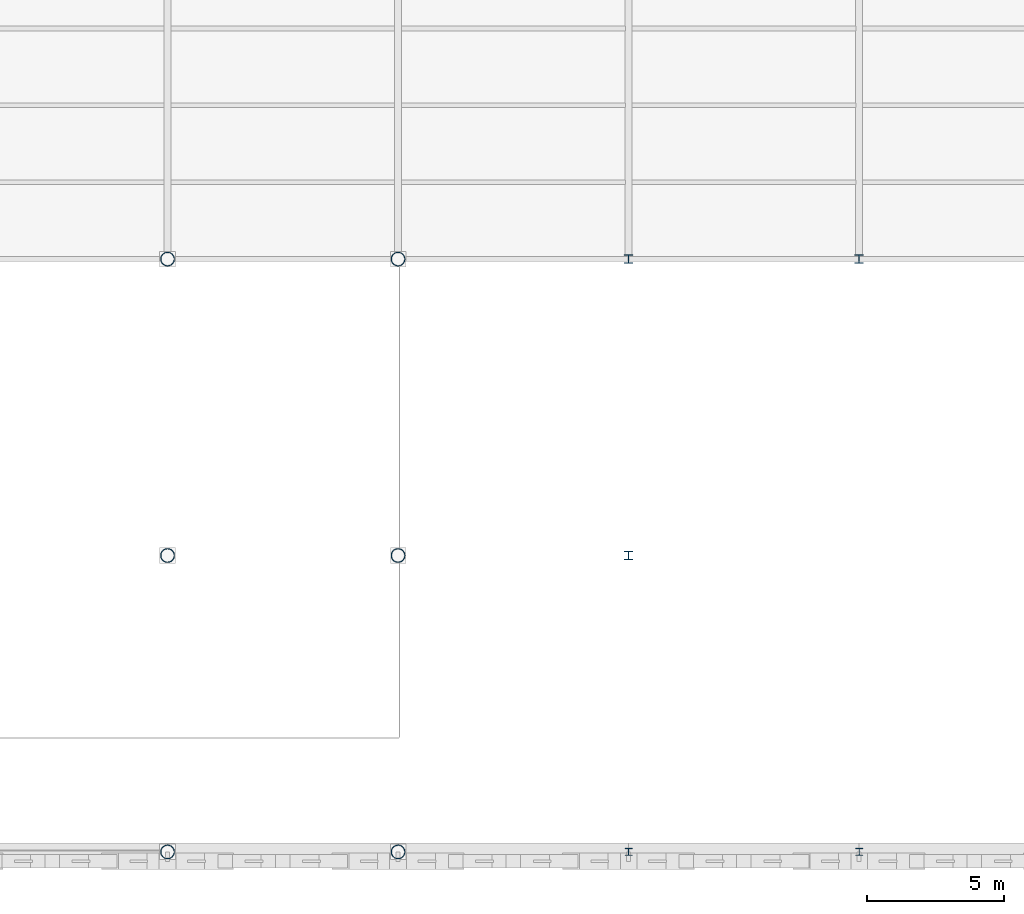
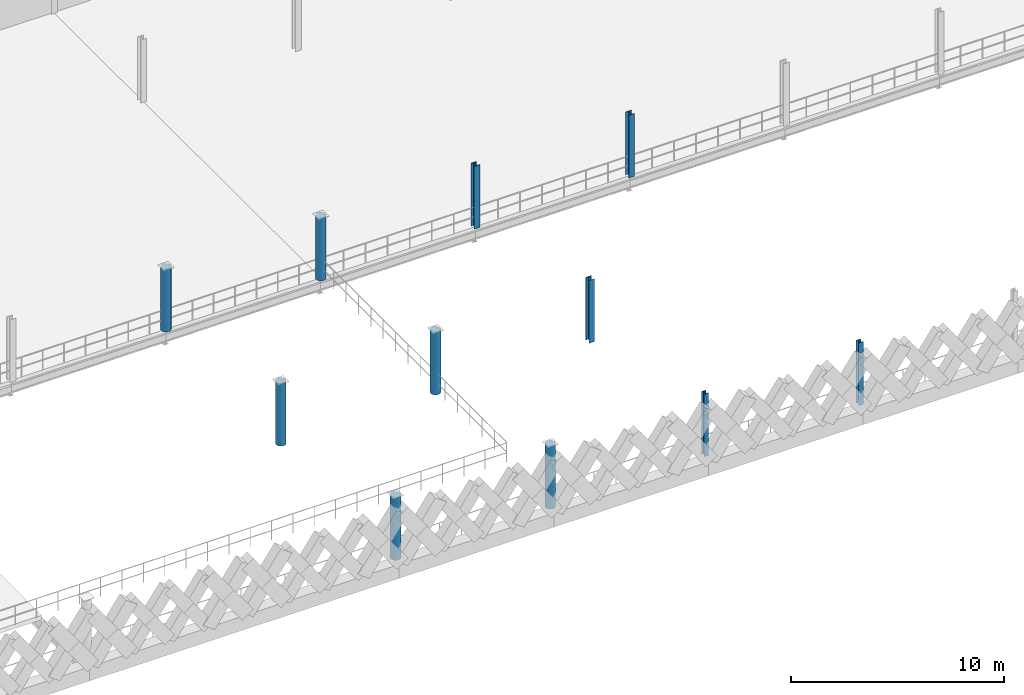
# One storey, part 2 of 47: 11 columns.
"""IFC4 building model written with IfcOpenShell, lengths in metres."""

from ifc_helpers import new_model, si_unit, direction, frame, origin, origin_2d, place, context, subcontext, project, spatial, hollow_circle, i_section, extrude, material, material_profile, profile_set, type_object, element, save


model = new_model("IFC4")

# Units and contexts
model_context = context("Model", 3, precision=1e-05, world=origin(), true_north=direction((0.0, 1.0)))
body_context = subcontext(model_context, "Body", "Model", "MODEL_VIEW")
ifc_project = project(units=[si_unit("LENGTHUNIT", "METRE"), si_unit("AREAUNIT", "SQUARE_METRE"), si_unit("VOLUMEUNIT", "CUBIC_METRE"), si_unit("PLANEANGLEUNIT", "RADIAN"), si_unit("MASSUNIT", "GRAM", prefix="KILO"), si_unit("THERMODYNAMICTEMPERATUREUNIT", "KELVIN"), si_unit("POWERUNIT", "WATT")], contexts=[model_context])

# Site, building, storey
site_placement = place(None, origin())
site = spatial("IfcSite", under=ifc_project, at=site_placement, CompositionType="ELEMENT")
building_placement = place(site_placement, origin())
building = spatial("IfcBuilding", under=site, at=building_placement, Name="Tembeka Court Mobility Hub", CompositionType="ELEMENT")
storey_placement = place(building_placement, frame((0.0, 0.0, 19.800048828125)))
storey = spatial("IfcBuildingStorey", under=building, at=storey_placement, Name="L05", CompositionType="ELEMENT", Elevation=19.800048828125)

# Columns
ifc_material = material(Name="Steel S355", Category="steel")
ifc_material_profile_1 = material_profile(ifc_material, i_section(OverallWidth=0.30908203125, OverallDepth=0.321044921875, WebThickness=0.013916015625, FlangeThickness=0.021728515625, FilletRadius=0.01513671875, at=origin_2d()), Name="UKC 305x305x137")
ifc_profile_set_1 = profile_set([ifc_material_profile_1], Name="Steel S355")
column_type_1 = type_object("IfcColumnType", Name="COL-C04", PredefinedType="COLUMN", material=ifc_profile_set_1)
for number, where, z_axis, x_axis, name in (
    (1, (50.39990234375, 10.800048828125, 0.0), (0.0, 0.0, 1.0), (1.0, 0.0, 0.0), "Column C04 (L05-072)"),
    (2, (50.39990234375, 21.60009765625, 0.0), (0.0, 0.0, 1.0), (1.0, 0.0, 0.0), "Column C04 (L05-073)"),
    (3, (58.800048828125, 21.60009765625, 0.0), (0.0, 0.0, 1.0), (1.0, 0.0, 0.0), "Column C04 (L05-084)"),
):
    element("IfcColumn", number, at=place(storey_placement, frame(where, z_axis=z_axis, x_axis=x_axis)), inside=storey, type_object=column_type_1, Name=name, PredefinedType="COLUMN", context=body_context, shape_type="SweptSolid", body=[
        extrude(i_section(OverallWidth=0.30908203125, OverallDepth=0.321044921875, WebThickness=0.013916015625, FlangeThickness=0.021728515625, FilletRadius=0.01513671875, at=origin_2d()), origin(), (0.0, 0.0, 1.0), 3.599853515625),
    ])
ifc_material_profile_2 = material_profile(ifc_material, i_section(OverallWidth=0.256103515625, OverallDepth=0.260009765625, WebThickness=0.01025390625, FlangeThickness=0.017333984375, FilletRadius=0.0126953125, at=origin_2d()), Name="UKC 254x254x89")
ifc_profile_set_2 = profile_set([ifc_material_profile_2], Name="Steel S355")
column_type_2 = type_object("IfcColumnType", Name="COL-C05", PredefinedType="COLUMN", material=ifc_profile_set_2)
for number, where, z_axis, x_axis, name in (
    (4, (50.39990234375, 0.0, 0.0), (0.0, 0.0, 1.0), (1.0, 0.0, 0.0), "Column C05 (L05-071)"),
    (5, (58.800048828125, 0.0, 0.0), (0.0, 0.0, 1.0), (1.0, 0.0, 0.0), "Column C05 (L05-083)"),
):
    element("IfcColumn", number, at=place(storey_placement, frame(where, z_axis=z_axis, x_axis=x_axis)), inside=storey, type_object=column_type_2, Name=name, PredefinedType="COLUMN", context=body_context, shape_type="SweptSolid", body=[
        extrude(i_section(OverallWidth=0.256103515625, OverallDepth=0.260009765625, WebThickness=0.01025390625, FlangeThickness=0.017333984375, FilletRadius=0.0126953125, at=origin_2d()), origin(), (0.0, 0.0, 1.0), 3.599853515625),
    ])
ifc_material_profile_3 = material_profile(ifc_material, hollow_circle(Radius=0.25390625, WallThickness=0.01611328125, at=origin_2d()), Name="CHS 508x16")
ifc_profile_set_3 = profile_set([ifc_material_profile_3], Name="Steel S355")
column_type_3 = type_object("IfcColumnType", Name="COL-C08", PredefinedType="COLUMN", material=ifc_profile_set_3)
for number, where, z_axis, x_axis, name in (
    (6, (33.60009765625, 0.0, 0.0), (0.0, 0.0, 1.0), (1.0, 0.0, 0.0), "Column C08 (L05-047)"),
    (7, (33.60009765625, 10.800048828125, 0.0), (0.0, 0.0, 1.0), (1.0, 0.0, 0.0), "Column C08 (L05-048)"),
    (8, (33.60009765625, 21.60009765625, 0.0), (0.0, 0.0, 1.0), (1.0, 0.0, 0.0), "Column C08 (L05-049)"),
    (9, (42.0, 0.0, 0.0), (0.0, 0.0, 1.0), (1.0, 0.0, 0.0), "Column C08 (L05-059)"),
    (10, (42.0, 10.800048828125, 0.0), (0.0, 0.0, 1.0), (1.0, 0.0, 0.0), "Column C08 (L05-060)"),
    (11, (42.0, 21.60009765625, 0.0), (0.0, 0.0, 1.0), (1.0, 0.0, 0.0), "Column C08 (L05-061)"),
):
    element("IfcColumn", number, at=place(storey_placement, frame(where, z_axis=z_axis, x_axis=x_axis)), inside=storey, type_object=column_type_3, Name=name, PredefinedType="COLUMN", context=body_context, shape_type="SweptSolid", body=[
        extrude(hollow_circle(Radius=0.25390625, WallThickness=0.01611328125, at=origin_2d()), origin(), (0.0, 0.0, 1.0), 3.599853515625),
    ])

save(model, "model.ifc")
